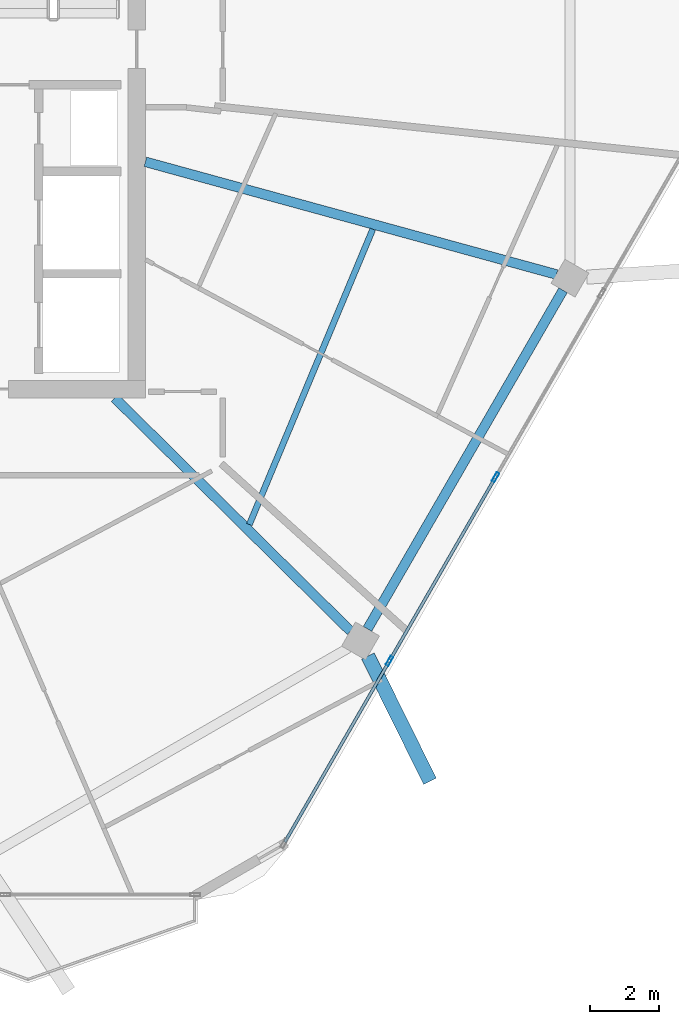
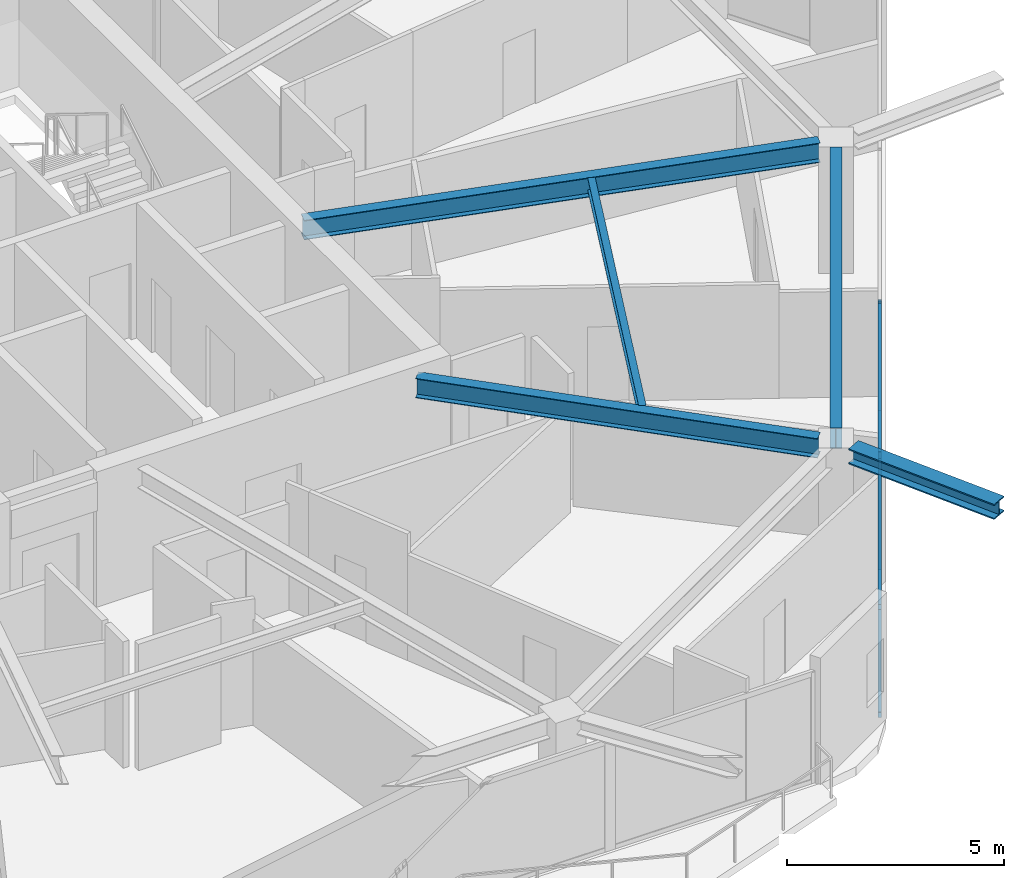
# One storey, part 6 of 20: 6 members, 5 beams, 1 element without a shape of its own.
"""IFC4 building model written with IfcOpenShell, lengths in metres."""

import ifcopenshell
import ifcopenshell.guid

model = None  # the IFC model being written
_history = None  # IfcOwnerHistory: only IFC2X3 demands one
_inside = {}  # id of a spatial element -> (the spatial element, [elements in it])
_under = {}  # id of a project, library or spatial element -> (it, [spatial elements below it])
_declared = {}  # id of a project -> (the project, [libraries it declares])
_typed = {}  # id of a type object -> (the type object, [elements of that type])
_made_of = {}  # id of a material, layer set ... -> (it, [elements and type objects made of it])


def new_model(schema):
    """Start an empty IFC model of exactly this schema.

    Asked for "IFC4X3", IfcOpenShell would pick the latest addendum, in which some entities
    have other attributes; the version numbers below select the first issue.
    IFC2X3 requires an IfcOwnerHistory on every rooted entity: one is made here for all.
    """
    global model, _history
    if schema == "IFC4X3":
        model = ifcopenshell.file(schema_version=(4, 3, 0, 0))
    else:
        model = ifcopenshell.file(schema=schema)
    _inside.clear()
    _under.clear()
    _declared.clear()
    _typed.clear()
    _made_of.clear()
    _history = None
    if model.schema == "IFC2X3":
        org = make("IfcOrganization", Name="unknown")
        user = make(
            "IfcPersonAndOrganization",
            ThePerson=make("IfcPerson", FamilyName="unknown"),
            TheOrganization=org,
        )
        app = make(
            "IfcApplication",
            ApplicationDeveloper=org,
            Version="unknown",
            ApplicationFullName="unknown",
            ApplicationIdentifier="unknown",
        )
        _history = make(
            "IfcOwnerHistory",
            OwningUser=user,
            OwningApplication=app,
            ChangeAction="ADDED",
            CreationDate=0,
        )
    return model


def make(cls, **values):
    """One entity of the class cls with the attributes given. An attribute that is None is left unset."""
    return model.create_entity(
        cls, **{name: value for name, value in values.items() if value is not None}
    )


def rooted(cls, **values):
    """An entity with a GlobalId (a new one), such as an element, a storey or a relation."""
    return make(cls, GlobalId=ifcopenshell.guid.new(), OwnerHistory=_history, **values)


def si_unit(unit_type, name, prefix=None):
    """IfcSIUnit, for example si_unit("LENGTHUNIT", "METRE", prefix="MILLI")."""
    return make("IfcSIUnit", UnitType=unit_type, Prefix=prefix, Name=name)


def assignment(units):
    """IfcUnitAssignment: the units of a project."""
    return None if units is None else make("IfcUnitAssignment", Units=units)


def point(xyz):
    """IfcCartesianPoint."""
    return None if xyz is None else make("IfcCartesianPoint", Coordinates=xyz)


def direction(xyz):
    """IfcDirection."""
    return None if xyz is None else make("IfcDirection", DirectionRatios=xyz)


def frame(location, z_axis=None, x_axis=None):
    """IfcAxis2Placement3D, a coordinate frame: its origin and axes. An axis left out is left unset."""
    return make(
        "IfcAxis2Placement3D",
        Location=point(location),
        Axis=direction(z_axis),
        RefDirection=direction(x_axis),
    )


def frame_2d(location, x_axis=None):
    """IfcAxis2Placement2D, a coordinate frame in the plane: its origin and x axis."""
    return make(
        "IfcAxis2Placement2D", Location=point(location), RefDirection=direction(x_axis)
    )


def origin():
    """The frame at (0, 0, 0) with its axes left unset."""
    return frame((0.0, 0.0, 0.0))


def origin_2d():
    """The frame at (0, 0) in the plane with its x axis left unset."""
    return frame_2d((0.0, 0.0))


def place(relative_to, where):
    """IfcLocalPlacement: puts the frame where relative to a parent placement (None: the world)."""
    return make(
        "IfcLocalPlacement", PlacementRelTo=relative_to, RelativePlacement=where
    )


def context(
    kind, dimensions, precision=None, world=None, true_north=None, identifier=None
):
    """IfcGeometricRepresentationContext, for example the 3D "Model" context."""
    return make(
        "IfcGeometricRepresentationContext",
        ContextIdentifier=identifier,
        ContextType=kind,
        CoordinateSpaceDimension=dimensions,
        Precision=precision,
        WorldCoordinateSystem=world,
        TrueNorth=true_north,
    )


def subcontext(parent, identifier, kind, view, scale=None):
    """IfcGeometricRepresentationSubContext, for example "Body" below "Model"."""
    return make(
        "IfcGeometricRepresentationSubContext",
        ContextIdentifier=identifier,
        ContextType=kind,
        ParentContext=parent,
        TargetScale=scale,
        TargetView=view,
    )


def project(units=None, contexts=None):
    """IfcProject with its units and contexts."""
    return rooted(
        "IfcProject",
        Name="project",
        RepresentationContexts=contexts,
        UnitsInContext=assignment(units),
    )


def spatial(cls, under=None, at=None, **own):
    """A site, building, storey or space (cls), placed at a placement, below another one or the project."""
    s = rooted(cls, ObjectPlacement=at, **own)
    if under is not None:
        _under.setdefault(under.id(), (under, []))[1].append(s)
    return s


def profile(cls, at=None, kind="AREA", **sizes):
    """A parametric profile (cls). Its sizes go by their IFC names, for example OverallWidth=200.0."""
    return make(cls, ProfileType=kind, Position=at, **sizes)


def hollow_rectangle(**sizes):
    """IfcRectangleHollowProfileDef."""
    return profile("IfcRectangleHollowProfileDef", **sizes)


def i_section(**sizes):
    """IfcIShapeProfileDef."""
    return profile("IfcIShapeProfileDef", **sizes)


def extrude(swept, where, along, depth):
    """IfcExtrudedAreaSolid: the profile swept, set in the frame where, extruded along a direction by depth."""
    return make(
        "IfcExtrudedAreaSolid",
        SweptArea=swept,
        Position=where,
        ExtrudedDirection=direction(along),
        Depth=depth,
    )


def shape(context_of_items, identifier, shape_type, items):
    """IfcShapeRepresentation: the items that make up one representation, for example the "Body"."""
    return make(
        "IfcShapeRepresentation",
        ContextOfItems=context_of_items,
        RepresentationIdentifier=identifier,
        RepresentationType=shape_type,
        Items=items,
    )


def material(Name=None, Category=None):
    """IfcMaterial."""
    return make("IfcMaterial", Name=Name, Category=Category)


def material_profile(
    of_material, cross_section, Name=None, Category=None, Priority=None
):
    """IfcMaterialProfile: a cross section and its material."""
    return make(
        "IfcMaterialProfile",
        Name=Name,
        Material=of_material,
        Profile=cross_section,
        Priority=Priority,
        Category=Category,
    )


def profile_set(profiles, Name=None, composite=None):
    """IfcMaterialProfileSet."""
    return make(
        "IfcMaterialProfileSet",
        Name=Name,
        MaterialProfiles=profiles,
        CompositeProfile=composite,
    )


def made_of(thing, what):
    """Note that an element or type object is made of a material, layer set ...; save() writes the relation."""
    if what is not None:
        _made_of.setdefault(what.id(), (what, []))[1].append(thing)
    return thing


def type_object(cls, material=None, **own):
    """A type object (cls), such as IfcWallType, which elements share."""
    return made_of(rooted(cls, **own), material)


def element(
    cls,
    number,
    at=None,
    inside=None,
    cuts=None,
    type_object=None,
    material=None,
    context=None,
    identifier="Body",
    shape_type=None,
    held_by="IfcProductDefinitionShape",
    body=None,
    shapes=None,
    **own,
):
    """One element of the class cls, such as IfcWall. Its Tag is "e" and its number.

    at: its placement. inside: the storey or other place that contains it. cuts: it is an
    opening in that element (IfcRelVoidsElement). A single representation is given by context,
    identifier, shape_type and body (its items); several are given by shapes. held_by: the class
    of the entity that holds the representations. save() writes the other relations.
    """
    e = rooted(cls, Tag="e%d" % number, ObjectPlacement=at, **own)
    if body is not None:
        shapes = [shape(context, identifier, shape_type, body)]
    if shapes is not None:
        e.Representation = make(held_by, Representations=shapes)
    if inside is not None:
        _inside.setdefault(inside.id(), (inside, []))[1].append(e)
    if cuts is not None:
        rooted(
            "IfcRelVoidsElement", RelatingBuildingElement=cuts, RelatedOpeningElement=e
        )
    if type_object is not None:
        _typed.setdefault(type_object.id(), (type_object, []))[1].append(e)
    return made_of(e, material)


def aggregate(whole, parts):
    """IfcRelAggregates: a whole, such as a stair, and the parts it consists of."""
    return rooted("IfcRelAggregates", RelatingObject=whole, RelatedObjects=parts)


def save(model, path):
    """Write the relations noted so far, then the file.

    IfcRelAggregates (storeys below a building ...), IfcRelContainedInSpatialStructure (elements
    in a storey), IfcRelDefinesByType, IfcRelAssociatesMaterial and IfcRelDeclares: one each for
    every whole, place, type object, material and project.
    """
    for whole, parts in _under.values():
        aggregate(whole, parts)
    for where, things in _inside.values():
        rooted(
            "IfcRelContainedInSpatialStructure",
            RelatedElements=things,
            RelatingStructure=where,
        )
    for kind, things in _typed.values():
        rooted("IfcRelDefinesByType", RelatedObjects=things, RelatingType=kind)
    for what, things in _made_of.values():
        rooted("IfcRelAssociatesMaterial", RelatedObjects=things, RelatingMaterial=what)
    for by, libraries in _declared.values():
        rooted("IfcRelDeclares", RelatingContext=by, RelatedDefinitions=libraries)
    model.write(path)


model = new_model("IFC4")

# Units and contexts
model_context = context("Model", 3, precision=1e-05, world=origin(), true_north=direction((0.0, 1.0)))
body_context = subcontext(model_context, "Body", "Model", "MODEL_VIEW")
ifc_project = project(units=[si_unit("LENGTHUNIT", "METRE"), si_unit("AREAUNIT", "SQUARE_METRE"), si_unit("VOLUMEUNIT", "CUBIC_METRE"), si_unit("PLANEANGLEUNIT", "RADIAN"), si_unit("MASSUNIT", "GRAM", prefix="KILO")], contexts=[model_context])

# Site, building, storey
site_placement = place(None, origin())
site = spatial("IfcSite", under=ifc_project, at=site_placement, CompositionType="ELEMENT")
building_placement = place(site_placement, origin())
building = spatial("IfcBuilding", under=site, at=building_placement, Name="Zuhravey Tower", CompositionType="ELEMENT")
storey_placement = place(building_placement, frame((0.0, 0.0, 312.0)))
storey = spatial("IfcBuildingStorey", under=building, at=storey_placement, Name="L79", CompositionType="ELEMENT", Elevation=312.0)

# Curtain wall, members
ifc_material_1 = material(Name="Thermally broken anodised aluminium", Category="aluminium")
curtain_wall_type = type_object("IfcCurtainWallType", Name="Zone 3-4 High-Rise Curtain Wall CW4", PredefinedType="NOTDEFINED", material=ifc_material_1)
curtain_wall_placement = place(storey_placement, origin())
curtain_wall = element("IfcCurtainWall", 1, at=curtain_wall_placement, inside=storey, type_object=curtain_wall_type, Name="L79 CW4 CW-L79-F6-1", PredefinedType="NOTDEFINED")
ifc_material_2 = material(Name="Anodised aluminium", Category="aluminium")
ifc_material_profile_1 = material_profile(ifc_material_2, hollow_rectangle(XDim=0.090087890625, YDim=0.284912109375, WallThickness=0.0048828125, at=origin_2d()), Name="ALU-RHS-90x285x5")
ifc_profile_set_1 = profile_set([ifc_material_profile_1], Name="Anodised aluminium")
member_type_1 = type_object("IfcMemberType", Name="Curtain-Wall Mullion 90x180", PredefinedType="MULLION", material=ifc_profile_set_1)
member_1_placement = place(storey_placement, frame((56.8486328125, 19.962890625, 0.0), z_axis=(0.0, 0.0, 1.0), x_axis=(0.866025511541, -0.49999981336, 0.0)))
member_1 = element("IfcMember", 2, at=member_1_placement, type_object=member_type_1, Name="CW4 mullion 3", PredefinedType="MULLION", context=body_context, shape_type="SweptSolid", body=[
    extrude(hollow_rectangle(XDim=0.090087890625, YDim=0.284912109375, WallThickness=0.0048828125, at=origin_2d()), origin(), (0.0, 0.0, 1.0), 3.1220703125),
])
member_2_placement = place(storey_placement, frame((53.788818359375, 14.6630859375, 0.0), z_axis=(0.0, 0.0, 1.0), x_axis=(0.866025511541, -0.49999981336, 0.0)))
member_2 = element("IfcMember", 3, at=member_2_placement, type_object=member_type_1, Name="CW4 mullion 4", PredefinedType="MULLION", context=body_context, shape_type="SweptSolid", body=[
    extrude(hollow_rectangle(XDim=0.090087890625, YDim=0.284912109375, WallThickness=0.0048828125, at=origin_2d()), origin(), (0.0, 0.0, 1.0), 3.1220703125),
])
ifc_material_profile_2 = material_profile(ifc_material_2, hollow_rectangle(XDim=0.090087890625, YDim=0.14990234375, WallThickness=0.0048828125, at=origin_2d()), Name="ALU-RHS-90x150x5")
ifc_profile_set_2 = profile_set([ifc_material_profile_2], Name="Anodised aluminium")
member_type_2 = type_object("IfcMemberType", Name="Curtain-Wall Transom 90x150", PredefinedType="USERDEFINED", material=ifc_profile_set_2)
member_3_placement = place(storey_placement, frame((56.826171875, 19.924072265625, 0.044921875), z_axis=(-0.499971305196, -0.866041970103, 0.0), x_axis=(0.866041970103, -0.499971305196, 0.0)))
member_3 = element("IfcMember", 4, at=member_3_placement, type_object=member_type_2, Name="CW4 transom 3.1", ObjectType="TRANSOM", PredefinedType="USERDEFINED", context=body_context, shape_type="SweptSolid", body=[
    extrude(hollow_rectangle(XDim=0.090087890625, YDim=0.14990234375, WallThickness=0.0048828125, at=origin_2d()), origin(), (0.0, 0.0, 1.0), 6.029541015625),
])
member_4_placement = place(storey_placement, frame((56.826171875, 19.924072265625, 3.076904296875), z_axis=(-0.499971305196, -0.866041970103, 0.0), x_axis=(0.866041970103, -0.499971305196, 0.0)))
member_4 = element("IfcMember", 5, at=member_4_placement, type_object=member_type_2, Name="CW4 transom 3.2", ObjectType="TRANSOM", PredefinedType="USERDEFINED", context=body_context, shape_type="SweptSolid", body=[
    extrude(hollow_rectangle(XDim=0.090087890625, YDim=0.14990234375, WallThickness=0.0048828125, at=origin_2d()), origin(), (0.0, 0.0, 1.0), 6.029541015625),
])
member_5_placement = place(storey_placement, frame((53.766357421875, 14.624267578125, 0.044921875), z_axis=(-0.499982594807, -0.866035452444, 0.0), x_axis=(0.866035452444, -0.499982594807, 0.0)))
member_5 = element("IfcMember", 6, at=member_5_placement, type_object=member_type_2, Name="CW4 transom 4.1", ObjectType="TRANSOM", PredefinedType="USERDEFINED", context=body_context, shape_type="SweptSolid", body=[
    extrude(hollow_rectangle(XDim=0.090087890625, YDim=0.14990234375, WallThickness=0.0048828125, at=origin_2d()), origin(), (0.0, 0.0, 1.0), 5.984619140625),
])
member_6_placement = place(storey_placement, frame((53.766357421875, 14.624267578125, 3.076904296875), z_axis=(-0.499982594807, -0.866035452444, 0.0), x_axis=(0.866035452444, -0.499982594807, 0.0)))
member_6 = element("IfcMember", 7, at=member_6_placement, type_object=member_type_2, Name="CW4 transom 4.2", ObjectType="TRANSOM", PredefinedType="USERDEFINED", context=body_context, shape_type="SweptSolid", body=[
    extrude(hollow_rectangle(XDim=0.090087890625, YDim=0.14990234375, WallThickness=0.0048828125, at=origin_2d()), origin(), (0.0, 0.0, 1.0), 5.984619140625),
])
aggregate(curtain_wall, [member_1, member_2, member_3, member_4, member_5, member_6])

# Beams
ifc_material_3 = material(Name="Steel SM460", Category="steel")
ifc_material_profile_3 = material_profile(ifc_material_3, i_section(OverallWidth=0.406982421875, OverallDepth=0.427978515625, WebThickness=0.02001953125, FlangeThickness=0.034912109375, at=origin_2d()), Name="H-428x407x20x35")
ifc_profile_set_3 = profile_set([ifc_material_profile_3], Name="Steel SM460")
beam_type_1 = type_object("IfcBeamType", Name="Exoskeleton Node Tie Beam H428x407", PredefinedType="BEAM", material=ifc_profile_set_3)
beam_1_placement = place(storey_placement, frame((53.169677734375, 14.803955078125, 3.3359375), z_axis=(0.443647780465, -0.896201231247, 0.0), x_axis=(0.896201231247, 0.443647780465, 0.0)))
element("IfcBeam", 8, at=beam_1_placement, inside=storey, type_object=beam_type_1, Name="L79 Exoskeleton Node Tie NT1-11", PredefinedType="BEAM", context=body_context, shape_type="SweptSolid", body=[
    extrude(i_section(OverallWidth=0.406982421875, OverallDepth=0.427978515625, WebThickness=0.02001953125, FlangeThickness=0.034912109375, at=origin_2d()), origin(), (0.0, 0.0, 1.0), 4.02978515625),
])
ifc_material_4 = material(Name="Steel SM355", Category="steel")
ifc_material_profile_4 = material_profile(ifc_material_4, i_section(OverallWidth=0.280029296875, OverallDepth=0.580078125, WebThickness=0.011962890625, FlangeThickness=0.01904296875, at=origin_2d()), Name="H-580x280x12x19")
ifc_profile_set_4 = profile_set([ifc_material_profile_4], Name="Steel SM355")
beam_type_2 = type_object("IfcBeamType", Name="Perimeter Ring Beam H580x280", PredefinedType="BEAM", material=ifc_profile_set_4)
beam_2_placement = place(storey_placement, frame((53.15625, 15.58740234375, 3.260009765625), z_axis=(0.500006198144, 0.866021825255, 0.0), x_axis=(-0.866021825255, 0.500006198144, 0.0)))
element("IfcBeam", 9, at=beam_2_placement, inside=storey, type_object=beam_type_2, Name="L79 PB4 BM-L79-PB-11", PredefinedType="BEAM", context=body_context, shape_type="SweptSolid", body=[
    extrude(i_section(OverallWidth=0.280029296875, OverallDepth=0.580078125, WebThickness=0.011962890625, FlangeThickness=0.01904296875, at=origin_2d()), origin(), (0.0, 0.0, 1.0), 11.271240234375),
])
ifc_material_profile_5 = material_profile(ifc_material_4, i_section(OverallWidth=0.280029296875, OverallDepth=0.550048828125, WebThickness=0.010986328125, FlangeThickness=0.01806640625, at=origin_2d()), Name="H-550x280x11x18")
ifc_profile_set_5 = profile_set([ifc_material_profile_5], Name="Steel SM355")
beam_type_3 = type_object("IfcBeamType", Name="Radial Primary Girder H550x280", PredefinedType="BEAM", material=ifc_profile_set_5)
beam_3_placement = place(storey_placement, frame((45.865234375, 22.2470703125, 3.27490234375), z_axis=(0.711153035666, -0.703037239314, 0.0), x_axis=(0.703037239314, 0.711153035666, 0.0)))
element("IfcBeam", 10, at=beam_3_placement, inside=storey, type_object=beam_type_3, Name="L79 RG4 BM-L79-RAD-11", PredefinedType="BEAM", context=body_context, shape_type="SweptSolid", body=[
    extrude(i_section(OverallWidth=0.280029296875, OverallDepth=0.550048828125, WebThickness=0.010986328125, FlangeThickness=0.01806640625, at=origin_2d()), origin(), (0.0, 0.0, 1.0), 9.566162109375),
])
beam_4_placement = place(storey_placement, frame((46.7529296875, 29.052734375, 3.27490234375), z_axis=(0.964427903067, -0.264346022829, 0.0), x_axis=(0.264346022829, 0.964427903067, 0.0)))
element("IfcBeam", 11, at=beam_4_placement, inside=storey, type_object=beam_type_3, Name="L79 RG4 BM-L79-RAD-12", PredefinedType="BEAM", context=body_context, shape_type="SweptSolid", body=[
    extrude(i_section(OverallWidth=0.280029296875, OverallDepth=0.550048828125, WebThickness=0.010986328125, FlangeThickness=0.01806640625, at=origin_2d()), origin(), (0.0, 0.0, 1.0), 12.2890625),
])
ifc_material_profile_6 = material_profile(ifc_material_4, i_section(OverallWidth=0.175048828125, OverallDepth=0.35009765625, WebThickness=0.007080078125, FlangeThickness=0.010986328125, at=origin_2d()), Name="H-350x175x7x11")
ifc_profile_set_6 = profile_set([ifc_material_profile_6], Name="Steel SM355")
beam_type_4 = type_object("IfcBeamType", Name="Secondary Floor Joist H350x175", PredefinedType="JOIST", material=ifc_profile_set_6)
beam_5_placement = place(storey_placement, frame((49.7490234375, 18.59521484375, 3.375), z_axis=(0.385657891576, 0.922641853953, 0.0), x_axis=(-0.922641853953, 0.385657891576, 0.0)))
element("IfcBeam", 12, at=beam_5_placement, inside=storey, type_object=beam_type_4, Name="L79 SJ3 BM-L79-SJ-11-1", PredefinedType="JOIST", context=body_context, shape_type="SweptSolid", body=[
    extrude(i_section(OverallWidth=0.175048828125, OverallDepth=0.35009765625, WebThickness=0.007080078125, FlangeThickness=0.010986328125, at=origin_2d()), origin(), (0.0, 0.0, 1.0), 9.226806640625),
])

save(model, "model.ifc")
